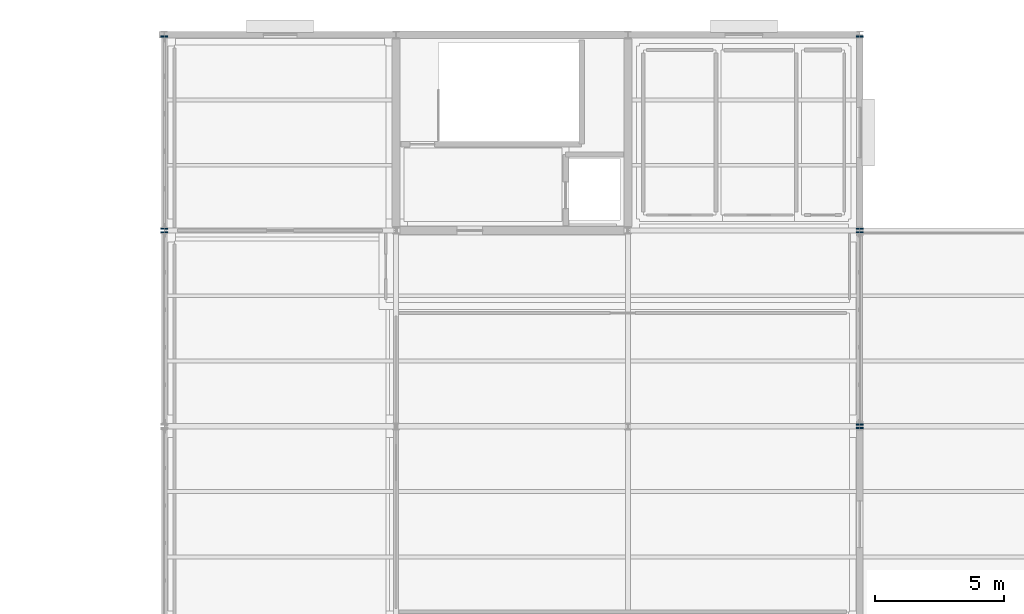
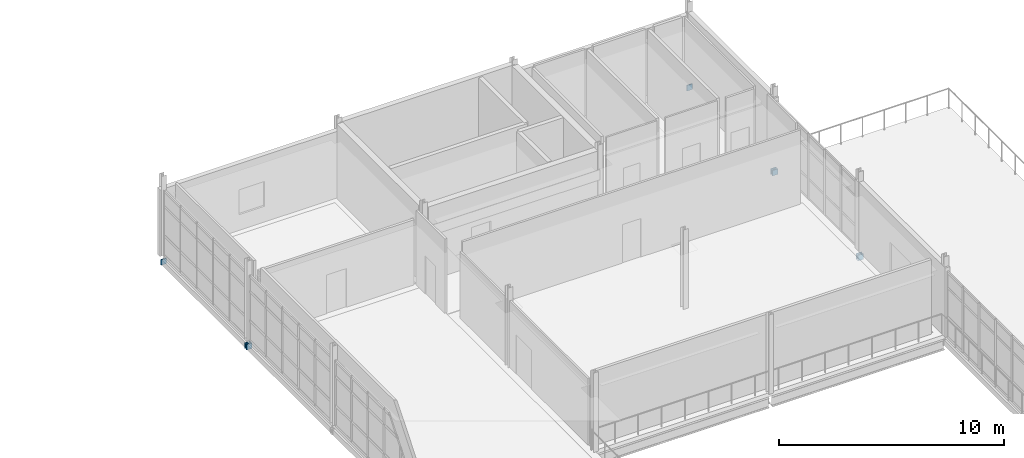
# One storey, part 39 of 48: 8 plates.
"""IFC4 building model written with IfcOpenShell, lengths in metres."""

from ifc_helpers import new_model, si_unit, direction, frame, origin, origin_2d, place, context, subcontext, project, spatial, rectangle, extrude, material, layer, layer_set, type_object, element, save


model = new_model("IFC4")

# Units and contexts
model_context = context("Model", 3, precision=1e-05, world=origin(), true_north=direction((0.0, 1.0)))
body_context = subcontext(model_context, "Body", "Model", "MODEL_VIEW")
ifc_project = project(units=[si_unit("LENGTHUNIT", "METRE"), si_unit("AREAUNIT", "SQUARE_METRE"), si_unit("VOLUMEUNIT", "CUBIC_METRE"), si_unit("PLANEANGLEUNIT", "RADIAN"), si_unit("MASSUNIT", "GRAM", prefix="KILO")], contexts=[model_context])

# Site, building, storey
site_placement = place(None, origin())
site = spatial("IfcSite", under=ifc_project, at=site_placement, CompositionType="ELEMENT")
building_placement = place(site_placement, origin())
building = spatial("IfcBuilding", under=site, at=building_placement, Name="Caisbarro Railhouse Central Library", CompositionType="ELEMENT")
storey_placement = place(building_placement, frame((0.0, 0.0, 18.0)))
storey = spatial("IfcBuildingStorey", under=building, at=storey_placement, Name="L04", CompositionType="ELEMENT", Elevation=18.0)

# Plates
ifc_material = material(Name="Steel ASTM A572 Grade 50", Category="steel")
ifc_layer = layer(ifc_material, 0.044921875, Name="Steel ASTM A572 Grade 50")
ifc_layer_set = layer_set([ifc_layer], Name="Steel ASTM A572 Grade 50")
plate_type = type_object("IfcPlateType", Name="PLT-EP01", PredefinedType="SHEET", material=ifc_layer_set)
for number, where, z_axis, x_axis, name in (
    (1, (117.0, 106.33203125, -0.52001953125), (0.0, 0.0, 1.0), (0.0, 1.0, 0.0), "EP01 end cap plate"),
    (2, (117.0, 106.468017578125, -0.52001953125), (0.0, 0.0, 1.0), (0.0, 1.0, 0.0), "EP01 end cap plate"),
    (3, (117.0, 113.931884765625, -0.52001953125), (0.0, 0.0, 1.0), (0.0, 1.0, 0.0), "EP01 end cap plate"),
    (4, (144.0, 98.73193359375, -0.52001953125), (0.0, 0.0, 1.0), (0.0, 1.0, 0.0), "EP01 end cap plate"),
    (5, (144.0, 98.867919921875, -0.52001953125), (0.0, 0.0, 1.0), (0.0, 1.0, 0.0), "EP01 end cap plate"),
    (6, (144.0, 106.33203125, -0.52001953125), (0.0, 0.0, 1.0), (0.0, 1.0, 0.0), "EP01 end cap plate"),
    (7, (144.0, 106.468017578125, -0.52001953125), (0.0, 0.0, 1.0), (0.0, 1.0, 0.0), "EP01 end cap plate"),
    (8, (144.0, 113.931884765625, -0.52001953125), (0.0, 0.0, 1.0), (0.0, 1.0, 0.0), "EP01 end cap plate"),
):
    element("IfcPlate", number, at=place(storey_placement, frame(where, z_axis=z_axis, x_axis=x_axis)), inside=storey, type_object=plate_type, Name=name, PredefinedType="SHEET", context=body_context, shape_type="SweptSolid", body=[
        extrude(rectangle(XDim=0.044921875, YDim=0.280029296875, at=origin_2d()), origin(), (0.0, 0.0, 1.0), 0.300048828125),
    ])

save(model, "model.ifc")
